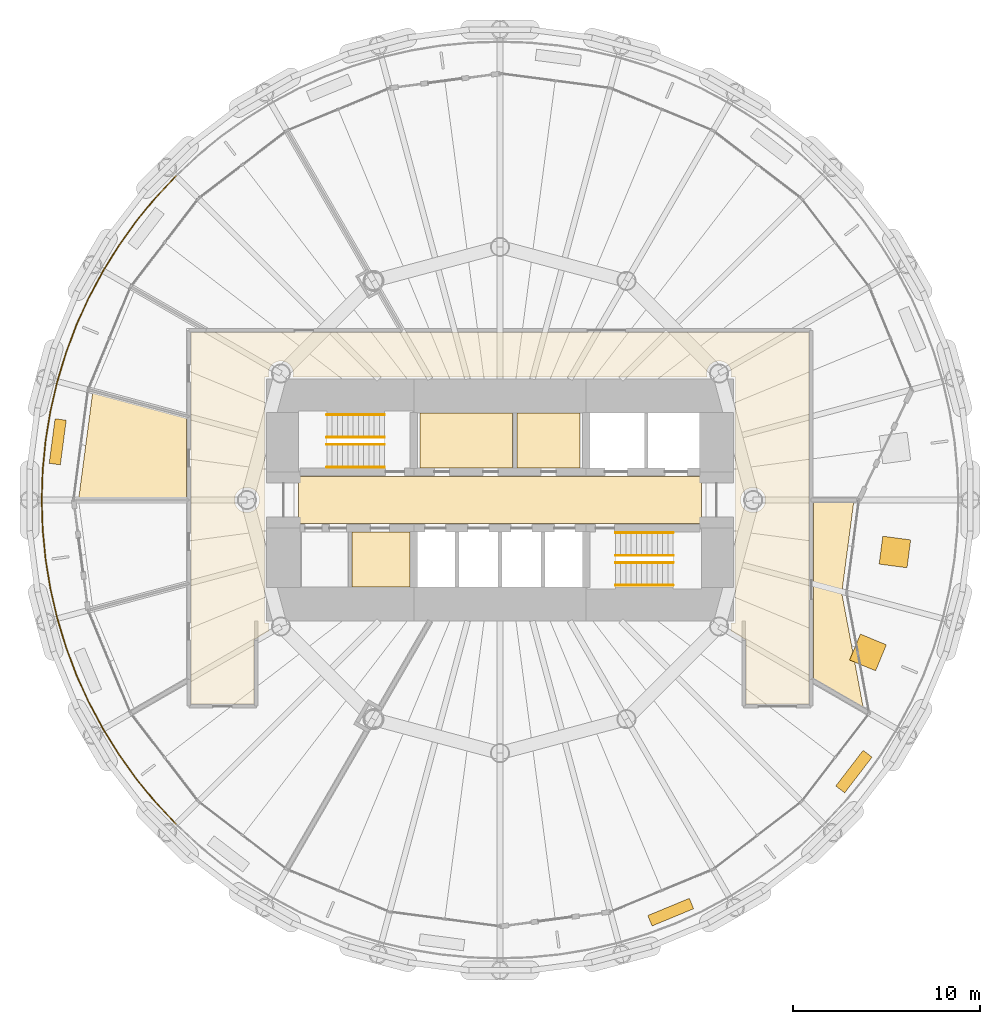
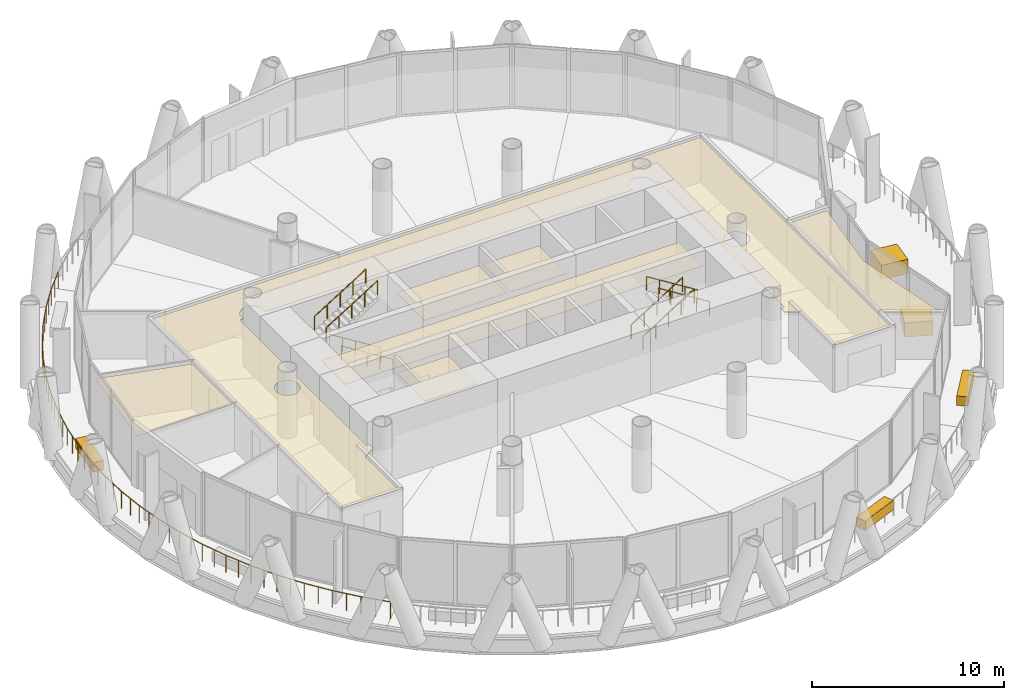
# One storey, part 13 of 15: 12 coverings, 9 railings.
"""IFC4 building model written with IfcOpenShell, lengths in metres."""

from ifc_helpers import new_model, si_unit, direction, frame, origin, origin_2d, place, context, subcontext, project, spatial, polyline, rectangle, circle, outline, extrude, material, layer, layer_set, type_object, element, save


model = new_model("IFC4")

# Units and contexts
model_context = context("Model", 3, precision=1e-05, world=origin(), true_north=direction((0.0, 1.0)))
body_context = subcontext(model_context, "Body", "Model", "MODEL_VIEW")
ifc_project = project(units=[si_unit("LENGTHUNIT", "METRE"), si_unit("AREAUNIT", "SQUARE_METRE"), si_unit("VOLUMEUNIT", "CUBIC_METRE"), si_unit("PLANEANGLEUNIT", "RADIAN"), si_unit("MASSUNIT", "GRAM", prefix="KILO")], contexts=[model_context])

# Site, building, storey
site_placement = place(None, origin())
site = spatial("IfcSite", under=ifc_project, at=site_placement, CompositionType="ELEMENT")
building_placement = place(site_placement, origin())
building = spatial("IfcBuilding", under=site, at=building_placement, Name="Qaws Media Tower", CompositionType="ELEMENT")
storey_placement = place(building_placement, frame((0.0, 0.0, 122.60009765625)))
storey = spatial("IfcBuildingStorey", under=building, at=storey_placement, Name="L27", CompositionType="ELEMENT", Elevation=122.60009765625)

# Railing
ifc_material_1 = material(Name="Stainless steel and glass guard", Category="steel")
railing_type_1 = type_object("IfcRailingType", Name="Balcony guard 1100", PredefinedType="GUARDRAIL", material=ifc_material_1)
railing_placement = place(storey_placement, frame((42.711181640625, 67.288818359375, 0.0)))
element("IfcRailing", 1, at=railing_placement, inside=storey, type_object=railing_type_1, Name="GR1 balcony guard L27-2", PredefinedType="GUARDRAIL", context=body_context, shape_type="SweptSolid", body=[
    extrude(circle(Radius=0.02392578125, at=origin_2d()), frame((0.0, 0.0, 1.076171875), z_axis=(-0.683611130788, -0.729846437179, 0.0), x_axis=(0.729846437179, -0.683611130788, 0.0)), (0.0, 0.0, 1.0), 1.599853515625),
    extrude(circle(Radius=0.02392578125, at=origin_2d()), frame((-1.09375, -1.167724609375, 1.076171875), z_axis=(-0.634342333827, -0.773052264414, 0.0), x_axis=(0.773052264414, -0.634342333827, 0.0)), (0.0, 0.0, 1.0), 1.599853515625),
    extrude(circle(Radius=0.02392578125, at=origin_2d()), frame((-2.108642578125, -2.404541015625, 1.076171875), z_axis=(-0.582450049551, -0.812866495667, 0.0), x_axis=(0.812866495667, -0.582450049551, 0.0)), (0.0, 0.0, 1.0), 1.599853515625),
    extrude(circle(Radius=0.02392578125, at=origin_2d()), frame((-3.04052734375, -3.705078125, 1.076171875), z_axis=(-0.528118536746, -0.849170660789, 0.0), x_axis=(0.849170660789, -0.528118536746, 0.0)), (0.0, 0.0, 1.0), 1.599853515625),
    extrude(circle(Radius=0.02392578125, at=origin_2d()), frame((-3.885498046875, -5.063720703125, 1.076171875), z_axis=(-0.471340438278, -0.881951354239, 0.0), x_axis=(0.881951354239, -0.471340438278, 0.0)), (0.0, 0.0, 1.0), 1.60009765625),
    extrude(circle(Radius=0.02392578125, at=origin_2d()), frame((-4.6396484375, -6.474853515625, 1.076171875), z_axis=(-0.412767961291, -0.910836214767, 0.0), x_axis=(0.910836214767, -0.412767961291, 0.0)), (0.0, 0.0, 1.0), 1.599853515625),
    extrude(circle(Radius=0.02392578125, at=origin_2d()), frame((-5.300048828125, -7.93212890625, 1.076171875), z_axis=(-0.352159949938, -0.935939832286, 0.0), x_axis=(0.935939832286, -0.352159949938, 0.0)), (0.0, 0.0, 1.0), 1.60009765625),
    extrude(circle(Radius=0.02392578125, at=origin_2d()), frame((-5.863525390625, -9.4296875, 1.076171875), z_axis=(-0.290384299084, -0.956910110118, 0.0), x_axis=(0.956910110118, -0.290384299084, 0.0)), (0.0, 0.0, 1.0), 1.599853515625),
    extrude(circle(Radius=0.02392578125, at=origin_2d()), frame((-6.328125, -10.960693359375, 1.076171875), z_axis=(-0.227065597837, -0.973879465991, 0.0), x_axis=(0.973879465991, -0.227065597837, 0.0)), (0.0, 0.0, 1.0), 1.599853515625),
    extrude(circle(Radius=0.02392578125, at=origin_2d()), frame((-6.69140625, -12.518798828125, 1.076171875), z_axis=(-0.162815123173, -0.986656594599, 0.0), x_axis=(0.986656594599, -0.162815123173, 0.0)), (0.0, 0.0, 1.0), 1.599853515625),
    extrude(circle(Radius=0.02392578125, at=origin_2d()), frame((-6.951904296875, -14.097412109375, 1.076171875), z_axis=(-0.098113716656, -0.995175210003, 0.0), x_axis=(0.995175210003, -0.098113716656, 0.0)), (0.0, 0.0, 1.0), 1.60009765625),
    extrude(circle(Radius=0.02392578125, at=origin_2d()), frame((-7.10888671875, -15.689697265625, 1.076171875), z_axis=(-0.032654332044, -0.999466705098, 0.0), x_axis=(0.999466705098, -0.032654332044, 0.0)), (0.0, 0.0, 1.0), 1.599853515625),
    extrude(circle(Radius=0.02392578125, at=origin_2d()), frame((-7.1611328125, -17.288818359375, 1.076171875), z_axis=(0.032654332044, -0.999466705098, 0.0), x_axis=(0.999466705098, 0.032654332044, 0.0)), (0.0, 0.0, 1.0), 1.599853515625),
    extrude(circle(Radius=0.02392578125, at=origin_2d()), frame((-7.10888671875, -18.887939453125, 1.076171875), z_axis=(0.098113716656, -0.995175210003, 0.0), x_axis=(0.995175210003, 0.098113716656, 0.0)), (0.0, 0.0, 1.0), 1.60009765625),
    extrude(circle(Radius=0.02392578125, at=origin_2d()), frame((-6.951904296875, -20.480224609375, 1.076171875), z_axis=(0.162815123173, -0.986656594599, 0.0), x_axis=(0.986656594599, 0.162815123173, 0.0)), (0.0, 0.0, 1.0), 1.599853515625),
    extrude(circle(Radius=0.02392578125, at=origin_2d()), frame((-6.69140625, -22.058837890625, 1.076171875), z_axis=(0.227065597837, -0.973879465991, 0.0), x_axis=(0.973879465991, 0.227065597837, 0.0)), (0.0, 0.0, 1.0), 1.599853515625),
    extrude(circle(Radius=0.02392578125, at=origin_2d()), frame((-6.328125, -23.616943359375, 1.076171875), z_axis=(0.290384299084, -0.956910110118, 0.0), x_axis=(0.956910110118, 0.290384299084, 0.0)), (0.0, 0.0, 1.0), 1.599853515625),
    extrude(circle(Radius=0.02392578125, at=origin_2d()), frame((-5.863525390625, -25.14794921875, 1.076171875), z_axis=(0.352159949938, -0.935939832286, 0.0), x_axis=(0.935939832286, 0.352159949938, 0.0)), (0.0, 0.0, 1.0), 1.60009765625),
    extrude(circle(Radius=0.02392578125, at=origin_2d()), frame((-5.300048828125, -26.6455078125, 1.076171875), z_axis=(0.412767961291, -0.910836214767, 0.0), x_axis=(0.910836214767, 0.412767961291, 0.0)), (0.0, 0.0, 1.0), 1.599853515625),
    extrude(circle(Radius=0.02392578125, at=origin_2d()), frame((-4.6396484375, -28.102783203125, 1.076171875), z_axis=(0.471340438278, -0.881951354239, 0.0), x_axis=(0.881951354239, 0.471340438278, 0.0)), (0.0, 0.0, 1.0), 1.60009765625),
    extrude(circle(Radius=0.02392578125, at=origin_2d()), frame((-3.885498046875, -29.513916015625, 1.076171875), z_axis=(0.528118536746, -0.849170660789, 0.0), x_axis=(0.849170660789, 0.528118536746, 0.0)), (0.0, 0.0, 1.0), 1.599853515625),
    extrude(circle(Radius=0.02392578125, at=origin_2d()), frame((-3.04052734375, -30.87255859375, 1.076171875), z_axis=(0.582450049551, -0.812866495667, 0.0), x_axis=(0.812866495667, 0.582450049551, 0.0)), (0.0, 0.0, 1.0), 1.599853515625),
    extrude(circle(Radius=0.02392578125, at=origin_2d()), frame((-2.108642578125, -32.173095703125, 1.076171875), z_axis=(0.634342333827, -0.773052264414, 0.0), x_axis=(0.773052264414, 0.634342333827, 0.0)), (0.0, 0.0, 1.0), 1.599853515625),
    extrude(circle(Radius=0.02392578125, at=origin_2d()), frame((-1.09375, -33.409912109375, 1.076171875), z_axis=(0.683611130788, -0.729846437179, 0.0), x_axis=(0.729846437179, 0.683611130788, 0.0)), (0.0, 0.0, 1.0), 1.599853515625),
    extrude(circle(Radius=0.02099609375, at=origin_2d()), origin(), (0.0, 0.0, 1.0), 1.052001953125),
    extrude(circle(Radius=0.02099609375, at=origin_2d()), frame((-0.546875, -0.583984375, 0.0)), (0.0, 0.0, 1.0), 1.052001953125),
    extrude(circle(Radius=0.02099609375, at=origin_2d()), frame((-1.09375, -1.167724609375, 0.0)), (0.0, 0.0, 1.0), 1.052001953125),
    extrude(circle(Radius=0.02099609375, at=origin_2d()), frame((-1.60107421875, -1.7861328125, 0.0)), (0.0, 0.0, 1.0), 1.052001953125),
    extrude(circle(Radius=0.02099609375, at=origin_2d()), frame((-2.108642578125, -2.404541015625, 0.0)), (0.0, 0.0, 1.0), 1.052001953125),
    extrude(circle(Radius=0.02099609375, at=origin_2d()), frame((-2.57470703125, -3.0546875, 0.0)), (0.0, 0.0, 1.0), 1.052001953125),
    extrude(circle(Radius=0.02099609375, at=origin_2d()), frame((-3.04052734375, -3.705078125, 0.0)), (0.0, 0.0, 1.0), 1.052001953125),
    extrude(circle(Radius=0.02099609375, at=origin_2d()), frame((-3.462890625, -4.38427734375, 0.0)), (0.0, 0.0, 1.0), 1.052001953125),
    extrude(circle(Radius=0.02099609375, at=origin_2d()), frame((-3.885498046875, -5.063720703125, 0.0)), (0.0, 0.0, 1.0), 1.052001953125),
    extrude(circle(Radius=0.02099609375, at=origin_2d()), frame((-4.2626953125, -5.769287109375, 0.0)), (0.0, 0.0, 1.0), 1.052001953125),
    extrude(circle(Radius=0.02099609375, at=origin_2d()), frame((-4.6396484375, -6.474853515625, 0.0)), (0.0, 0.0, 1.0), 1.052001953125),
    extrude(circle(Radius=0.02099609375, at=origin_2d()), frame((-4.9697265625, -7.20361328125, 0.0)), (0.0, 0.0, 1.0), 1.052001953125),
    extrude(circle(Radius=0.02099609375, at=origin_2d()), frame((-5.300048828125, -7.93212890625, 0.0)), (0.0, 0.0, 1.0), 1.052001953125),
    extrude(circle(Radius=0.02099609375, at=origin_2d()), frame((-5.581787109375, -8.680908203125, 0.0)), (0.0, 0.0, 1.0), 1.052001953125),
    extrude(circle(Radius=0.02099609375, at=origin_2d()), frame((-5.863525390625, -9.4296875, 0.0)), (0.0, 0.0, 1.0), 1.052001953125),
    extrude(circle(Radius=0.02099609375, at=origin_2d()), frame((-6.095703125, -10.1953125, 0.0)), (0.0, 0.0, 1.0), 1.052001953125),
    extrude(circle(Radius=0.02099609375, at=origin_2d()), frame((-6.328125, -10.960693359375, 0.0)), (0.0, 0.0, 1.0), 1.052001953125),
    extrude(circle(Radius=0.02099609375, at=origin_2d()), frame((-6.509765625, -11.73974609375, 0.0)), (0.0, 0.0, 1.0), 1.052001953125),
    extrude(circle(Radius=0.02099609375, at=origin_2d()), frame((-6.69140625, -12.518798828125, 0.0)), (0.0, 0.0, 1.0), 1.052001953125),
    extrude(circle(Radius=0.02099609375, at=origin_2d()), frame((-6.82177734375, -13.30810546875, 0.0)), (0.0, 0.0, 1.0), 1.052001953125),
    extrude(circle(Radius=0.02099609375, at=origin_2d()), frame((-6.951904296875, -14.097412109375, 0.0)), (0.0, 0.0, 1.0), 1.052001953125),
    extrude(circle(Radius=0.02099609375, at=origin_2d()), frame((-7.0302734375, -14.8935546875, 0.0)), (0.0, 0.0, 1.0), 1.052001953125),
    extrude(circle(Radius=0.02099609375, at=origin_2d()), frame((-7.10888671875, -15.689697265625, 0.0)), (0.0, 0.0, 1.0), 1.052001953125),
    extrude(circle(Radius=0.02099609375, at=origin_2d()), frame((-7.135009765625, -16.4892578125, 0.0)), (0.0, 0.0, 1.0), 1.052001953125),
    extrude(circle(Radius=0.02099609375, at=origin_2d()), frame((-7.1611328125, -17.288818359375, 0.0)), (0.0, 0.0, 1.0), 1.052001953125),
    extrude(circle(Radius=0.02099609375, at=origin_2d()), frame((-7.135009765625, -18.08837890625, 0.0)), (0.0, 0.0, 1.0), 1.052001953125),
    extrude(circle(Radius=0.02099609375, at=origin_2d()), frame((-7.10888671875, -18.887939453125, 0.0)), (0.0, 0.0, 1.0), 1.052001953125),
    extrude(circle(Radius=0.02099609375, at=origin_2d()), frame((-7.0302734375, -19.68408203125, 0.0)), (0.0, 0.0, 1.0), 1.052001953125),
    extrude(circle(Radius=0.02099609375, at=origin_2d()), frame((-6.951904296875, -20.480224609375, 0.0)), (0.0, 0.0, 1.0), 1.052001953125),
    extrude(circle(Radius=0.02099609375, at=origin_2d()), frame((-6.82177734375, -21.26953125, 0.0)), (0.0, 0.0, 1.0), 1.052001953125),
    extrude(circle(Radius=0.02099609375, at=origin_2d()), frame((-6.69140625, -22.058837890625, 0.0)), (0.0, 0.0, 1.0), 1.052001953125),
    extrude(circle(Radius=0.02099609375, at=origin_2d()), frame((-6.509765625, -22.837890625, 0.0)), (0.0, 0.0, 1.0), 1.052001953125),
    extrude(circle(Radius=0.02099609375, at=origin_2d()), frame((-6.328125, -23.616943359375, 0.0)), (0.0, 0.0, 1.0), 1.052001953125),
    extrude(circle(Radius=0.02099609375, at=origin_2d()), frame((-6.095703125, -24.38232421875, 0.0)), (0.0, 0.0, 1.0), 1.052001953125),
    extrude(circle(Radius=0.02099609375, at=origin_2d()), frame((-5.863525390625, -25.14794921875, 0.0)), (0.0, 0.0, 1.0), 1.052001953125),
    extrude(circle(Radius=0.02099609375, at=origin_2d()), frame((-5.581787109375, -25.896728515625, 0.0)), (0.0, 0.0, 1.0), 1.052001953125),
    extrude(circle(Radius=0.02099609375, at=origin_2d()), frame((-5.300048828125, -26.6455078125, 0.0)), (0.0, 0.0, 1.0), 1.052001953125),
    extrude(circle(Radius=0.02099609375, at=origin_2d()), frame((-4.9697265625, -27.3740234375, 0.0)), (0.0, 0.0, 1.0), 1.052001953125),
    extrude(circle(Radius=0.02099609375, at=origin_2d()), frame((-4.6396484375, -28.102783203125, 0.0)), (0.0, 0.0, 1.0), 1.052001953125),
    extrude(circle(Radius=0.02099609375, at=origin_2d()), frame((-4.2626953125, -28.808349609375, 0.0)), (0.0, 0.0, 1.0), 1.052001953125),
    extrude(circle(Radius=0.02099609375, at=origin_2d()), frame((-3.885498046875, -29.513916015625, 0.0)), (0.0, 0.0, 1.0), 1.052001953125),
    extrude(circle(Radius=0.02099609375, at=origin_2d()), frame((-3.462890625, -30.193359375, 0.0)), (0.0, 0.0, 1.0), 1.052001953125),
    extrude(circle(Radius=0.02099609375, at=origin_2d()), frame((-3.04052734375, -30.87255859375, 0.0)), (0.0, 0.0, 1.0), 1.052001953125),
    extrude(circle(Radius=0.02099609375, at=origin_2d()), frame((-2.57470703125, -31.52294921875, 0.0)), (0.0, 0.0, 1.0), 1.052001953125),
    extrude(circle(Radius=0.02099609375, at=origin_2d()), frame((-2.108642578125, -32.173095703125, 0.0)), (0.0, 0.0, 1.0), 1.052001953125),
    extrude(circle(Radius=0.02099609375, at=origin_2d()), frame((-1.60107421875, -32.79150390625, 0.0)), (0.0, 0.0, 1.0), 1.052001953125),
    extrude(circle(Radius=0.02099609375, at=origin_2d()), frame((-1.09375, -33.409912109375, 0.0)), (0.0, 0.0, 1.0), 1.052001953125),
    extrude(circle(Radius=0.02099609375, at=origin_2d()), frame((-0.546875, -33.99365234375, 0.0)), (0.0, 0.0, 1.0), 1.052001953125),
    extrude(circle(Radius=0.02099609375, at=origin_2d()), frame((0.0, -34.57763671875, 0.0)), (0.0, 0.0, 1.0), 1.052001953125),
])

# Coverings
ifc_material_2 = material(Name="600 x 600 mineral fibre tiles in exposed grid, suspended", Category="mineral fibre")
ifc_layer_1 = layer(ifc_material_2, 0.02001953125)
ifc_layer_set_1 = layer_set([ifc_layer_1], Name="Mineral fibre tile ceiling 20")
covering_type_1 = type_object("IfcCoveringType", Name="Mineral fibre tile ceiling 20", PredefinedType="CEILING", material=ifc_layer_set_1)
covering_1_placement = place(storey_placement, frame((0.0, 0.0, 2.849853515625)))
element("IfcCovering", 2, at=covering_1_placement, inside=storey, type_object=covering_type_1, Name="CL1 ceiling L27-C07 Gents toilets", PredefinedType="CEILING", context=body_context, shape_type="SweptSolid", body=[
    extrude(outline(polyline([(55.719970703125, 51.719970703125), (55.719970703125, 54.6298828125), (60.679931640625, 54.6298828125), (60.679931640625, 51.719970703125), (55.719970703125, 51.719970703125)])), origin(), (0.0, 0.0, 1.0), 0.02001953125),
])
covering_2_placement = place(storey_placement, frame((0.0, 0.0, 2.849853515625)))
element("IfcCovering", 3, at=covering_2_placement, inside=storey, type_object=covering_type_1, Name="CL1 ceiling L27-C08 Ladies toilets", PredefinedType="CEILING", context=body_context, shape_type="SweptSolid", body=[
    extrude(outline(polyline([(60.919921875, 51.719970703125), (60.919921875, 54.6298828125), (64.280029296875, 54.6298828125), (64.280029296875, 51.719970703125), (60.919921875, 51.719970703125)])), origin(), (0.0, 0.0, 1.0), 0.02001953125),
])
covering_3_placement = place(storey_placement, frame((0.0, 0.0, 2.849853515625)))
element("IfcCovering", 4, at=covering_3_placement, inside=storey, type_object=covering_type_1, Name="CL1 ceiling L27-01 Corridor", PredefinedType="CEILING", context=body_context, shape_type="SweptSolid", body=[
    extrude(outline(polyline([(43.512451171875, 39.112548828125), (43.512451171875, 58.9375), (76.487548828125, 58.9375), (76.487548828125, 39.112548828125), (73.112548828125, 39.112548828125), (73.112548828125, 42.559326171875), (72.31689453125, 43.018798828125), (72.336669921875, 43.0771484375), (72.353515625, 43.162841796875), (72.359375, 43.25), (72.353515625, 43.337158203125), (72.336669921875, 43.4228515625), (72.33154296875, 43.4375), (72.5625, 43.4375), (72.5625, 56.5625), (72.33154296875, 56.5625), (72.336669921875, 56.5771484375), (72.353515625, 56.662841796875), (72.359375, 56.75), (72.353515625, 56.837158203125), (72.336669921875, 56.9228515625), (72.30859375, 57.005615234375), (72.269775390625, 57.083984375), (72.22119140625, 57.15673828125), (72.163818359375, 57.222412109375), (72.097900390625, 57.280029296875), (72.025390625, 57.32861328125), (71.947021484375, 57.3671875), (71.8642578125, 57.395263671875), (71.778564453125, 57.412353515625), (71.69140625, 57.41796875), (71.604248046875, 57.412353515625), (71.5185546875, 57.395263671875), (71.435791015625, 57.3671875), (71.357421875, 57.32861328125), (71.28466796875, 57.280029296875), (71.218994140625, 57.222412109375), (71.161376953125, 57.15673828125), (71.11279296875, 57.083984375), (71.07421875, 57.005615234375), (71.046142578125, 56.9228515625), (71.029052734375, 56.837158203125), (71.023193359375, 56.75), (71.029052734375, 56.662841796875), (71.046142578125, 56.5771484375), (71.051025390625, 56.5625), (48.948974609375, 56.5625), (48.953857421875, 56.5771484375), (48.970947265625, 56.662841796875), (48.976806640625, 56.75), (48.970947265625, 56.837158203125), (48.953857421875, 56.9228515625), (48.92578125, 57.005615234375), (48.88720703125, 57.083984375), (48.838623046875, 57.15673828125), (48.781005859375, 57.222412109375), (48.71533203125, 57.280029296875), (48.642578125, 57.32861328125), (48.564208984375, 57.3671875), (48.4814453125, 57.395263671875), (48.395751953125, 57.412353515625), (48.30859375, 57.41796875), (48.221435546875, 57.412353515625), (48.1357421875, 57.395263671875), (48.052978515625, 57.3671875), (47.974609375, 57.32861328125), (47.902099609375, 57.280029296875), (47.836181640625, 57.222412109375), (47.77880859375, 57.15673828125), (47.730224609375, 57.083984375), (47.69140625, 57.005615234375), (47.663330078125, 56.9228515625), (47.646484375, 56.837158203125), (47.640625, 56.75), (47.646484375, 56.662841796875), (47.663330078125, 56.5771484375), (47.66845703125, 56.5625), (47.4375, 56.5625), (47.4375, 43.4375), (47.66845703125, 43.4375), (47.663330078125, 43.4228515625), (47.646484375, 43.337158203125), (47.640625, 43.25), (47.646484375, 43.162841796875), (47.663330078125, 43.0771484375), (47.68310546875, 43.018798828125), (46.887451171875, 42.559326171875), (46.887451171875, 39.112548828125), (43.512451171875, 39.112548828125)]), holes=[polyline([(47.1171875, 49.744384765625), (47.145263671875, 49.8271484375), (47.162353515625, 49.912841796875), (47.16796875, 50.0), (47.162353515625, 50.087158203125), (47.145263671875, 50.1728515625), (47.1171875, 50.255615234375), (47.07861328125, 50.333984375), (47.030029296875, 50.40673828125), (46.972412109375, 50.472412109375), (46.90673828125, 50.530029296875), (46.833984375, 50.57861328125), (46.755615234375, 50.6171875), (46.6728515625, 50.645263671875), (46.587158203125, 50.662353515625), (46.5, 50.66796875), (46.412841796875, 50.662353515625), (46.3271484375, 50.645263671875), (46.244384765625, 50.6171875), (46.166015625, 50.57861328125), (46.09326171875, 50.530029296875), (46.027587890625, 50.472412109375), (45.969970703125, 50.40673828125), (45.92138671875, 50.333984375), (45.8828125, 50.255615234375), (45.854736328125, 50.1728515625), (45.837646484375, 50.087158203125), (45.83203125, 50.0), (45.837646484375, 49.912841796875), (45.854736328125, 49.8271484375), (45.8828125, 49.744384765625), (45.92138671875, 49.666015625), (45.969970703125, 49.59326171875), (46.027587890625, 49.527587890625), (46.09326171875, 49.469970703125), (46.166015625, 49.42138671875), (46.244384765625, 49.3828125), (46.3271484375, 49.354736328125), (46.412841796875, 49.337646484375), (46.5, 49.33203125), (46.587158203125, 49.337646484375), (46.6728515625, 49.354736328125), (46.755615234375, 49.3828125), (46.833984375, 49.42138671875), (46.90673828125, 49.469970703125), (46.972412109375, 49.527587890625), (47.030029296875, 49.59326171875), (47.07861328125, 49.666015625), (47.1171875, 49.744384765625)]), polyline([(74.145263671875, 49.8271484375), (74.162353515625, 49.912841796875), (74.16796875, 50.0), (74.162353515625, 50.087158203125), (74.145263671875, 50.1728515625), (74.1171875, 50.255615234375), (74.07861328125, 50.333984375), (74.030029296875, 50.40673828125), (73.972412109375, 50.472412109375), (73.90673828125, 50.530029296875), (73.833984375, 50.57861328125), (73.755615234375, 50.6171875), (73.6728515625, 50.645263671875), (73.587158203125, 50.662353515625), (73.5, 50.66796875), (73.412841796875, 50.662353515625), (73.3271484375, 50.645263671875), (73.244384765625, 50.6171875), (73.166015625, 50.57861328125), (73.09326171875, 50.530029296875), (73.027587890625, 50.472412109375), (72.969970703125, 50.40673828125), (72.92138671875, 50.333984375), (72.8828125, 50.255615234375), (72.854736328125, 50.1728515625), (72.837646484375, 50.087158203125), (72.83203125, 50.0), (72.837646484375, 49.912841796875), (72.854736328125, 49.8271484375), (72.8828125, 49.744384765625), (72.92138671875, 49.666015625), (72.969970703125, 49.59326171875), (73.027587890625, 49.527587890625), (73.09326171875, 49.469970703125), (73.166015625, 49.42138671875), (73.244384765625, 49.3828125), (73.3271484375, 49.354736328125), (73.412841796875, 49.337646484375), (73.5, 49.33203125), (73.587158203125, 49.337646484375), (73.6728515625, 49.354736328125), (73.755615234375, 49.3828125), (73.833984375, 49.42138671875), (73.90673828125, 49.469970703125), (73.972412109375, 49.527587890625), (74.030029296875, 49.59326171875), (74.07861328125, 49.666015625), (74.1171875, 49.744384765625), (74.145263671875, 49.8271484375)])]), origin(), (0.0, 0.0, 1.0), 0.02001953125),
])
covering_4_placement = place(storey_placement, frame((0.0, 0.0, 2.849853515625)))
element("IfcCovering", 5, at=covering_4_placement, inside=storey, type_object=covering_type_1, Name="CL1 ceiling L27-05 Office", PredefinedType="CEILING", context=body_context, shape_type="SweptSolid", body=[
    extrude(outline(polyline([(38.26611328125, 55.70703125), (43.28759765625, 54.361572265625), (43.28759765625, 50.112548828125), (37.529541015625, 50.112548828125), (38.26611328125, 55.70703125)])), origin(), (0.0, 0.0, 1.0), 0.02001953125),
])
covering_5_placement = place(storey_placement, frame((0.0, 0.0, 2.849853515625)))
element("IfcCovering", 6, at=covering_5_placement, inside=storey, type_object=covering_type_1, Name="CL1 ceiling L27-10 Finance office", PredefinedType="CEILING", context=body_context, shape_type="SweptSolid", body=[
    extrude(outline(polyline([(78.231689453125, 45.036376953125), (79.375244140625, 38.943603515625), (76.71240234375, 40.48095703125), (76.71240234375, 49.887451171875), (78.870361328125, 49.887451171875), (78.231689453125, 45.036376953125)])), origin(), (0.0, 0.0, 1.0), 0.02001953125),
])
ifc_material_3 = material(Name="Precast concrete planter with trailing planting", Category="concrete")
ifc_layer_2 = layer(ifc_material_3, 0.60009765625)
ifc_layer_set_2 = layer_set([ifc_layer_2], Name="Planter 2400x600")
covering_type_2 = type_object("IfcCoveringType", Name="Planter 2400x600", PredefinedType="USERDEFINED", material=ifc_layer_set_2)
for number, where, z_axis, x_axis, name in (
    (7, (36.403564453125, 53.1064453125, -0.000244140625), (0.0, 0.0, 1.0), (-0.13052619222, -0.991444861374, 0.0), "PL1 balcony planter L27-06"),
    (8, (69.10791015625, 28.01171875, -0.000244140625), (0.0, 0.0, 1.0), (0.923879532511, 0.382683432365, 0.0), "PL1 balcony planter L27-10"),
    (9, (78.8818359375, 35.511474609375, -0.000244140625), (0.0, 0.0, 1.0), (0.608761429009, 0.793353340291, 0.0), "PL1 balcony planter L27-11"),
):
    element("IfcCovering", number, at=place(storey_placement, frame(where, z_axis=z_axis, x_axis=x_axis)), inside=storey, type_object=covering_type_2, Name=name, ObjectType="PLANTER", PredefinedType="USERDEFINED", context=body_context, shape_type="SweptSolid", body=[
        extrude(rectangle(XDim=2.39990234375, YDim=0.60009765625, at=origin_2d()), origin(), (0.0, 0.0, 1.0), 0.60009765625),
    ])
ifc_material_4 = material(Name="Two layers 12.5 moisture-resistant plasterboard on suspended metal furring", Category="gypsum")
ifc_layer_3 = layer(ifc_material_4, 0.02490234375)
ifc_layer_set_3 = layer_set([ifc_layer_3], Name="Plasterboard ceiling 25")
covering_type_3 = type_object("IfcCoveringType", Name="Plasterboard ceiling 25", PredefinedType="CEILING", material=ifc_layer_set_3)
covering_6_placement = place(storey_placement, frame((0.0, 0.0, 2.849853515625)))
element("IfcCovering", 10, at=covering_6_placement, inside=storey, type_object=covering_type_3, Name="CL2 ceiling L27-C01 Lift lobby", PredefinedType="CEILING", context=body_context, shape_type="SweptSolid", body=[
    extrude(outline(polyline([(49.25, 48.75), (49.25, 51.25), (70.75, 51.25), (70.75, 48.75), (49.25, 48.75)])), origin(), (0.0, 0.0, 1.0), 0.025146484375),
])
covering_7_placement = place(storey_placement, frame((0.0, 0.0, 2.849853515625)))
element("IfcCovering", 11, at=covering_7_placement, inside=storey, type_object=covering_type_3, Name="CL2 ceiling L27-C05 Accessible WC", PredefinedType="CEILING", context=body_context, shape_type="SweptSolid", body=[
    extrude(outline(polyline([(52.10009765625, 45.35009765625), (52.10009765625, 48.300048828125), (55.199951171875, 48.300048828125), (55.199951171875, 45.35009765625), (52.10009765625, 45.35009765625)])), origin(), (0.0, 0.0, 1.0), 0.025146484375),
])

# Railings
ifc_material_5 = material(Name="Steel tube handrail", Category="steel")
railing_type_2 = type_object("IfcRailingType", Name="Stair handrail 900", PredefinedType="HANDRAIL", material=ifc_material_5)
for number, where, name in (
    (12, (53.840087890625, 51.75, 0.1748046875), "HR1 handrail S1 flight 1 L27"),
    (13, (53.840087890625, 52.9599609375, 0.1748046875), "HR1 handrail S1 flight 1 L27"),
):
    element("IfcRailing", number, at=place(storey_placement, frame(where)), inside=storey, type_object=railing_type_2, Name=name, PredefinedType="HANDRAIL", context=body_context, shape_type="SweptSolid", body=[
        extrude(circle(Radius=0.02392578125, at=origin_2d()), frame((0.0, 0.0, 0.8759765625), z_axis=(-0.847998304005, 0.0, 0.529998940003), x_axis=(0.0, -1.0, 0.0)), (0.0, 0.0, 1.0), 3.632080078125),
        extrude(circle(Radius=0.02099609375, at=origin_2d()), origin(), (0.0, 0.0, 1.0), 0.851806640625),
        extrude(circle(Radius=0.02099609375, at=origin_2d()), frame((-0.77001953125, 0.0, 0.481201171875)), (0.0, 0.0, 1.0), 0.851806640625),
        extrude(circle(Radius=0.02099609375, at=origin_2d()), frame((-1.5400390625, 0.0, 0.96240234375)), (0.0, 0.0, 1.0), 0.851806640625),
        extrude(circle(Radius=0.02099609375, at=origin_2d()), frame((-2.31005859375, 0.0, 1.44384765625)), (0.0, 0.0, 1.0), 0.851806640625),
        extrude(circle(Radius=0.02099609375, at=origin_2d()), frame((-3.080078125, 0.0, 1.925048828125)), (0.0, 0.0, 1.0), 0.851806640625),
    ])
for number, where, name in (
    (14, (50.760009765625, 54.550048828125, 2.27490234375), "HR1 handrail S1 flight 2 L27"),
    (15, (50.760009765625, 53.340087890625, 2.27490234375), "HR1 handrail S1 flight 2 L27"),
    (16, (66.159912109375, 48.25, 0.1748046875), "HR1 handrail S2 flight 1 L27"),
    (17, (66.159912109375, 47.0400390625, 0.1748046875), "HR1 handrail S2 flight 1 L27"),
):
    element("IfcRailing", number, at=place(storey_placement, frame(where)), inside=storey, type_object=railing_type_2, Name=name, PredefinedType="HANDRAIL", context=body_context, shape_type="SweptSolid", body=[
        extrude(circle(Radius=0.02392578125, at=origin_2d()), frame((0.0, 0.0, 0.8759765625), z_axis=(0.847998304005, 0.0, 0.529998940003), x_axis=(0.0, 1.0, 0.0)), (0.0, 0.0, 1.0), 3.632080078125),
        extrude(circle(Radius=0.02099609375, at=origin_2d()), origin(), (0.0, 0.0, 1.0), 0.851806640625),
        extrude(circle(Radius=0.02099609375, at=origin_2d()), frame((0.77001953125, 0.0, 0.481201171875)), (0.0, 0.0, 1.0), 0.851806640625),
        extrude(circle(Radius=0.02099609375, at=origin_2d()), frame((1.5400390625, 0.0, 0.96240234375)), (0.0, 0.0, 1.0), 0.851806640625),
        extrude(circle(Radius=0.02099609375, at=origin_2d()), frame((2.31005859375, 0.0, 1.44384765625)), (0.0, 0.0, 1.0), 0.851806640625),
        extrude(circle(Radius=0.02099609375, at=origin_2d()), frame((3.080078125, 0.0, 1.925048828125)), (0.0, 0.0, 1.0), 0.851806640625),
    ])
for number, where, name in (
    (18, (69.239990234375, 45.449951171875, 2.27490234375), "HR1 handrail S2 flight 2 L27"),
    (19, (69.239990234375, 46.659912109375, 2.27490234375), "HR1 handrail S2 flight 2 L27"),
):
    element("IfcRailing", number, at=place(storey_placement, frame(where)), inside=storey, type_object=railing_type_2, Name=name, PredefinedType="HANDRAIL", context=body_context, shape_type="SweptSolid", body=[
        extrude(circle(Radius=0.02392578125, at=origin_2d()), frame((0.0, 0.0, 0.8759765625), z_axis=(-0.847998304005, 0.0, 0.529998940003), x_axis=(0.0, -1.0, 0.0)), (0.0, 0.0, 1.0), 3.632080078125),
        extrude(circle(Radius=0.02099609375, at=origin_2d()), origin(), (0.0, 0.0, 1.0), 0.851806640625),
        extrude(circle(Radius=0.02099609375, at=origin_2d()), frame((-0.77001953125, 0.0, 0.481201171875)), (0.0, 0.0, 1.0), 0.851806640625),
        extrude(circle(Radius=0.02099609375, at=origin_2d()), frame((-1.5400390625, 0.0, 0.96240234375)), (0.0, 0.0, 1.0), 0.851806640625),
        extrude(circle(Radius=0.02099609375, at=origin_2d()), frame((-2.31005859375, 0.0, 1.44384765625)), (0.0, 0.0, 1.0), 0.851806640625),
        extrude(circle(Radius=0.02099609375, at=origin_2d()), frame((-3.080078125, 0.0, 1.925048828125)), (0.0, 0.0, 1.0), 0.851806640625),
    ])

# Coverings
ifc_material_6 = material(Name="Precast concrete tree planter", Category="concrete")
ifc_layer_4 = layer(ifc_material_6, 0.89990234375)
ifc_layer_set_4 = layer_set([ifc_layer_4], Name="Tree planter 1500")
covering_type_4 = type_object("IfcCoveringType", Name="Tree planter 1500", PredefinedType="USERDEFINED", material=ifc_layer_set_4)
for number, where, z_axis, x_axis, name in (
    (20, (79.63232421875, 41.867919921875, 0.0), (0.0, 0.0, 1.0), (0.923879532511, -0.382683432365, 0.0), "PL2 sky garden tree planter L27-1"),
    (21, (81.068115234375, 47.226318359375, 0.0), (0.0, 0.0, 1.0), (0.991444861374, -0.13052619222, 0.0), "PL2 sky garden tree planter L27-2"),
):
    element("IfcCovering", number, at=place(storey_placement, frame(where, z_axis=z_axis, x_axis=x_axis)), inside=storey, type_object=covering_type_4, Name=name, ObjectType="PLANTER", PredefinedType="USERDEFINED", context=body_context, shape_type="SweptSolid", body=[
        extrude(rectangle(XDim=1.5, YDim=1.5, at=origin_2d()), origin(), (0.0, 0.0, 1.0), 0.89990234375),
    ])

save(model, "model.ifc")
